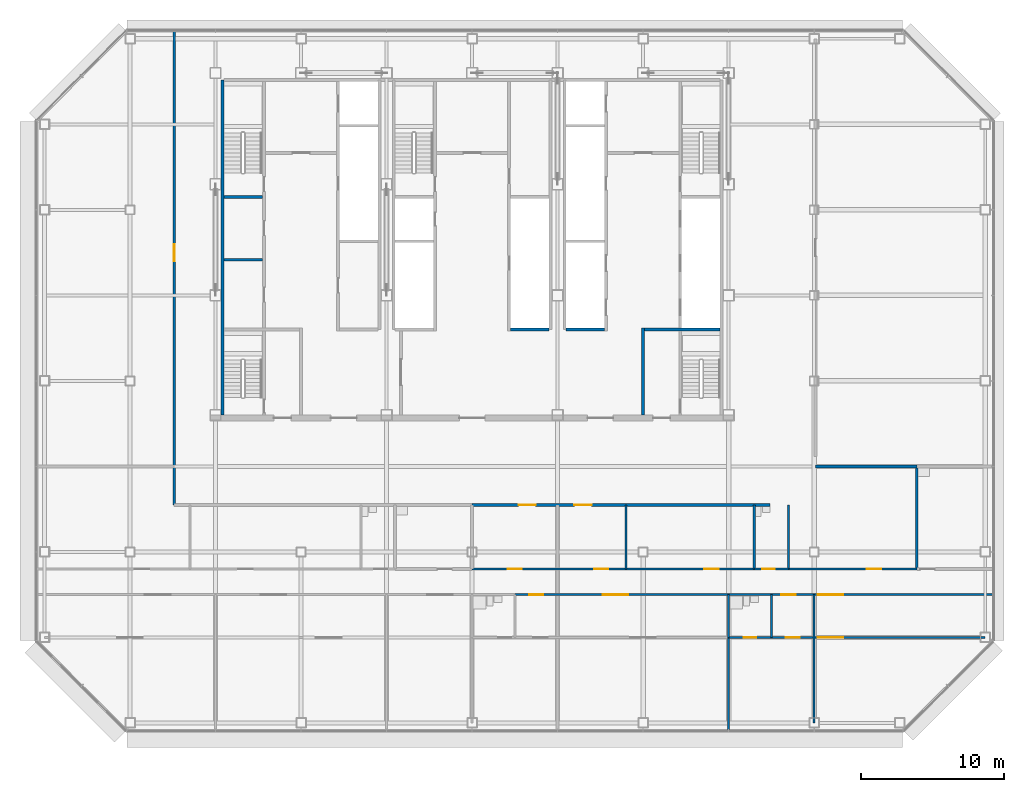
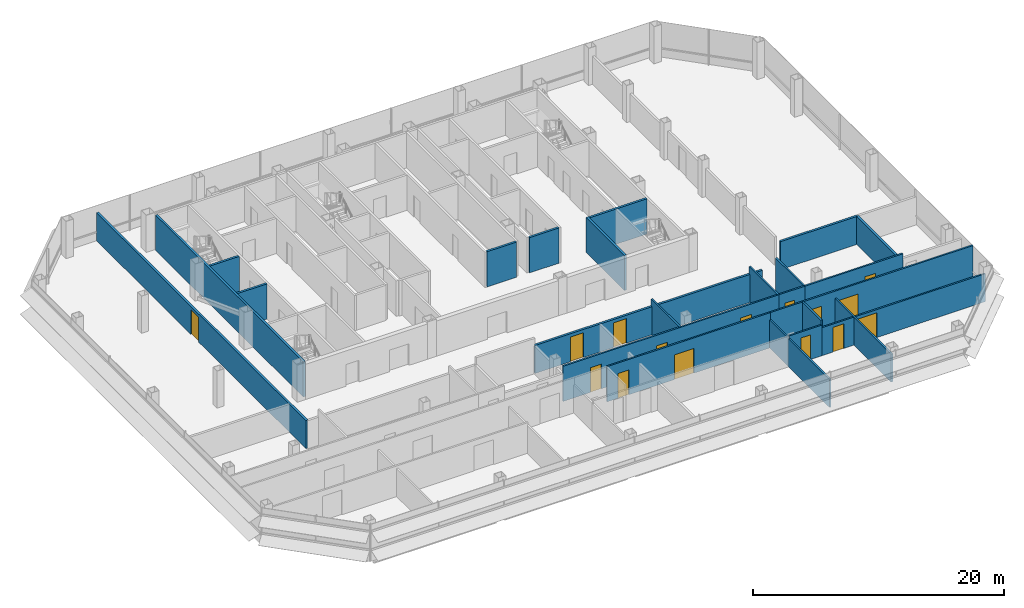
# One storey, part 20 of 24: 26 walls, 15 doors, 15 openings.
"""IFC4 building model written with IfcOpenShell, lengths in metres."""

import ifcopenshell
import ifcopenshell.guid

model = None  # the IFC model being written
_history = None  # IfcOwnerHistory: only IFC2X3 demands one
_inside = {}  # id of a spatial element -> (the spatial element, [elements in it])
_under = {}  # id of a project, library or spatial element -> (it, [spatial elements below it])
_declared = {}  # id of a project -> (the project, [libraries it declares])
_typed = {}  # id of a type object -> (the type object, [elements of that type])
_made_of = {}  # id of a material, layer set ... -> (it, [elements and type objects made of it])


def new_model(schema):
    """Start an empty IFC model of exactly this schema.

    Asked for "IFC4X3", IfcOpenShell would pick the latest addendum, in which some entities
    have other attributes; the version numbers below select the first issue.
    IFC2X3 requires an IfcOwnerHistory on every rooted entity: one is made here for all.
    """
    global model, _history
    if schema == "IFC4X3":
        model = ifcopenshell.file(schema_version=(4, 3, 0, 0))
    else:
        model = ifcopenshell.file(schema=schema)
    _inside.clear()
    _under.clear()
    _declared.clear()
    _typed.clear()
    _made_of.clear()
    _history = None
    if model.schema == "IFC2X3":
        org = make("IfcOrganization", Name="unknown")
        user = make(
            "IfcPersonAndOrganization",
            ThePerson=make("IfcPerson", FamilyName="unknown"),
            TheOrganization=org,
        )
        app = make(
            "IfcApplication",
            ApplicationDeveloper=org,
            Version="unknown",
            ApplicationFullName="unknown",
            ApplicationIdentifier="unknown",
        )
        _history = make(
            "IfcOwnerHistory",
            OwningUser=user,
            OwningApplication=app,
            ChangeAction="ADDED",
            CreationDate=0,
        )
    return model


def make(cls, **values):
    """One entity of the class cls with the attributes given. An attribute that is None is left unset."""
    return model.create_entity(
        cls, **{name: value for name, value in values.items() if value is not None}
    )


def rooted(cls, **values):
    """An entity with a GlobalId (a new one), such as an element, a storey or a relation."""
    return make(cls, GlobalId=ifcopenshell.guid.new(), OwnerHistory=_history, **values)


def si_unit(unit_type, name, prefix=None):
    """IfcSIUnit, for example si_unit("LENGTHUNIT", "METRE", prefix="MILLI")."""
    return make("IfcSIUnit", UnitType=unit_type, Prefix=prefix, Name=name)


def assignment(units):
    """IfcUnitAssignment: the units of a project."""
    return None if units is None else make("IfcUnitAssignment", Units=units)


def point(xyz):
    """IfcCartesianPoint."""
    return None if xyz is None else make("IfcCartesianPoint", Coordinates=xyz)


def direction(xyz):
    """IfcDirection."""
    return None if xyz is None else make("IfcDirection", DirectionRatios=xyz)


def frame(location, z_axis=None, x_axis=None):
    """IfcAxis2Placement3D, a coordinate frame: its origin and axes. An axis left out is left unset."""
    return make(
        "IfcAxis2Placement3D",
        Location=point(location),
        Axis=direction(z_axis),
        RefDirection=direction(x_axis),
    )


def frame_2d(location, x_axis=None):
    """IfcAxis2Placement2D, a coordinate frame in the plane: its origin and x axis."""
    return make(
        "IfcAxis2Placement2D", Location=point(location), RefDirection=direction(x_axis)
    )


def origin():
    """The frame at (0, 0, 0) with its axes left unset."""
    return frame((0.0, 0.0, 0.0))


def place(relative_to, where):
    """IfcLocalPlacement: puts the frame where relative to a parent placement (None: the world)."""
    return make(
        "IfcLocalPlacement", PlacementRelTo=relative_to, RelativePlacement=where
    )


def context(
    kind, dimensions, precision=None, world=None, true_north=None, identifier=None
):
    """IfcGeometricRepresentationContext, for example the 3D "Model" context."""
    return make(
        "IfcGeometricRepresentationContext",
        ContextIdentifier=identifier,
        ContextType=kind,
        CoordinateSpaceDimension=dimensions,
        Precision=precision,
        WorldCoordinateSystem=world,
        TrueNorth=true_north,
    )


def subcontext(parent, identifier, kind, view, scale=None):
    """IfcGeometricRepresentationSubContext, for example "Body" below "Model"."""
    return make(
        "IfcGeometricRepresentationSubContext",
        ContextIdentifier=identifier,
        ContextType=kind,
        ParentContext=parent,
        TargetScale=scale,
        TargetView=view,
    )


def project(units=None, contexts=None):
    """IfcProject with its units and contexts."""
    return rooted(
        "IfcProject",
        Name="project",
        RepresentationContexts=contexts,
        UnitsInContext=assignment(units),
    )


def spatial(cls, under=None, at=None, **own):
    """A site, building, storey or space (cls), placed at a placement, below another one or the project."""
    s = rooted(cls, ObjectPlacement=at, **own)
    if under is not None:
        _under.setdefault(under.id(), (under, []))[1].append(s)
    return s


def profile(cls, at=None, kind="AREA", **sizes):
    """A parametric profile (cls). Its sizes go by their IFC names, for example OverallWidth=200.0."""
    return make(cls, ProfileType=kind, Position=at, **sizes)


def rectangle(**sizes):
    """IfcRectangleProfileDef."""
    return profile("IfcRectangleProfileDef", **sizes)


def extrude(swept, where, along, depth):
    """IfcExtrudedAreaSolid: the profile swept, set in the frame where, extruded along a direction by depth."""
    return make(
        "IfcExtrudedAreaSolid",
        SweptArea=swept,
        Position=where,
        ExtrudedDirection=direction(along),
        Depth=depth,
    )


def shape(context_of_items, identifier, shape_type, items):
    """IfcShapeRepresentation: the items that make up one representation, for example the "Body"."""
    return make(
        "IfcShapeRepresentation",
        ContextOfItems=context_of_items,
        RepresentationIdentifier=identifier,
        RepresentationType=shape_type,
        Items=items,
    )


def material(Name=None, Category=None):
    """IfcMaterial."""
    return make("IfcMaterial", Name=Name, Category=Category)


def layer(
    of_material, thickness, ventilated=None, Name=None, Category=None, Priority=None
):
    """IfcMaterialLayer: one layer of a wall or slab, of a material (None: an air gap)."""
    return make(
        "IfcMaterialLayer",
        Material=of_material,
        LayerThickness=thickness,
        IsVentilated=ventilated,
        Name=Name,
        Category=Category,
        Priority=Priority,
    )


def layer_set(layers, Name=None):
    """IfcMaterialLayerSet."""
    return make("IfcMaterialLayerSet", MaterialLayers=layers, LayerSetName=Name)


def made_of(thing, what):
    """Note that an element or type object is made of a material, layer set ...; save() writes the relation."""
    if what is not None:
        _made_of.setdefault(what.id(), (what, []))[1].append(thing)
    return thing


def type_object(cls, material=None, **own):
    """A type object (cls), such as IfcWallType, which elements share."""
    return made_of(rooted(cls, **own), material)


def element(
    cls,
    number,
    at=None,
    inside=None,
    cuts=None,
    type_object=None,
    material=None,
    context=None,
    identifier="Body",
    shape_type=None,
    held_by="IfcProductDefinitionShape",
    body=None,
    shapes=None,
    **own,
):
    """One element of the class cls, such as IfcWall. Its Tag is "e" and its number.

    at: its placement. inside: the storey or other place that contains it. cuts: it is an
    opening in that element (IfcRelVoidsElement). A single representation is given by context,
    identifier, shape_type and body (its items); several are given by shapes. held_by: the class
    of the entity that holds the representations. save() writes the other relations.
    """
    e = rooted(cls, Tag="e%d" % number, ObjectPlacement=at, **own)
    if body is not None:
        shapes = [shape(context, identifier, shape_type, body)]
    if shapes is not None:
        e.Representation = make(held_by, Representations=shapes)
    if inside is not None:
        _inside.setdefault(inside.id(), (inside, []))[1].append(e)
    if cuts is not None:
        rooted(
            "IfcRelVoidsElement", RelatingBuildingElement=cuts, RelatedOpeningElement=e
        )
    if type_object is not None:
        _typed.setdefault(type_object.id(), (type_object, []))[1].append(e)
    return made_of(e, material)


def fill(opening, filler):
    """IfcRelFillsElement: the door or window that sits in an opening."""
    return rooted(
        "IfcRelFillsElement",
        RelatingOpeningElement=opening,
        RelatedBuildingElement=filler,
    )


def aggregate(whole, parts):
    """IfcRelAggregates: a whole, such as a stair, and the parts it consists of."""
    return rooted("IfcRelAggregates", RelatingObject=whole, RelatedObjects=parts)


def save(model, path):
    """Write the relations noted so far, then the file.

    IfcRelAggregates (storeys below a building ...), IfcRelContainedInSpatialStructure (elements
    in a storey), IfcRelDefinesByType, IfcRelAssociatesMaterial and IfcRelDeclares: one each for
    every whole, place, type object, material and project.
    """
    for whole, parts in _under.values():
        aggregate(whole, parts)
    for where, things in _inside.values():
        rooted(
            "IfcRelContainedInSpatialStructure",
            RelatedElements=things,
            RelatingStructure=where,
        )
    for kind, things in _typed.values():
        rooted("IfcRelDefinesByType", RelatedObjects=things, RelatingType=kind)
    for what, things in _made_of.values():
        rooted("IfcRelAssociatesMaterial", RelatedObjects=things, RelatingMaterial=what)
    for by, libraries in _declared.values():
        rooted("IfcRelDeclares", RelatingContext=by, RelatedDefinitions=libraries)
    model.write(path)


model = new_model("IFC4")

# Units and contexts
model_context = context("Model", 3, precision=1e-05, world=origin(), true_north=direction((0.0, 1.0)))
body_context = subcontext(model_context, "Body", "Model", "MODEL_VIEW")
ifc_project = project(units=[si_unit("LENGTHUNIT", "METRE"), si_unit("AREAUNIT", "SQUARE_METRE"), si_unit("VOLUMEUNIT", "CUBIC_METRE"), si_unit("PLANEANGLEUNIT", "RADIAN"), si_unit("MASSUNIT", "GRAM", prefix="KILO")], contexts=[model_context])

# Site, building, storey
site_placement = place(None, origin())
site = spatial("IfcSite", under=ifc_project, at=site_placement, CompositionType="ELEMENT")
building_placement = place(site_placement, origin())
building = spatial("IfcBuilding", under=site, at=building_placement, Name="Sorahane Residences", CompositionType="ELEMENT")
storey_placement = place(building_placement, frame((0.0, 0.0, 178.0)))
storey = spatial("IfcBuildingStorey", under=building, at=storey_placement, Name="L41", CompositionType="ELEMENT", Elevation=178.0)

# Wall
ifc_material_1 = material(Name="Concrete C30", Category="concrete")
ifc_layer_1 = layer(ifc_material_1, 0.199951171875)
ifc_layer_set_1 = layer_set([ifc_layer_1], Name="Core face wall 200 EI 180")
wall_type_1 = type_object("IfcWallType", Name="Core face wall 200 EI 180", PredefinedType="SOLIDWALL", material=ifc_layer_set_1)
wall_1_placement = place(storey_placement, frame((6.5, 21.60009765625, 0.0), z_axis=(0.0, 0.0, 1.0), x_axis=(0.0, 1.0, 0.0)))
element("IfcWall", 1, at=wall_1_placement, inside=storey, type_object=wall_type_1, Name="L41 core face wall", PredefinedType="SOLIDWALL", context=body_context, shape_type="SweptSolid", body=[
    extrude(rectangle(XDim=23.5, YDim=0.199951171875, at=frame_2d((11.75, 0.0))), origin(), (0.0, 0.0, 1.0), 3.419921875),
])

# Wall, opening, door
ifc_material_2 = material(Name="Concrete blockwork C20 wall", Category="masonry")
ifc_layer_2 = layer(ifc_material_2, 0.199951171875)
ifc_layer_set_2 = layer_set([ifc_layer_2], Name="Corridor wall 200 EI 120")
wall_type_2 = type_object("IfcWallType", Name="Corridor wall 200 EI 120", PredefinedType="SOLIDWALL", material=ifc_layer_set_2)
wall_2_placement = place(storey_placement, frame((3.10009765625, 15.300048828125, 0.0), z_axis=(0.0, 0.0, 1.0), x_axis=(0.0, 1.0, 0.0)))
wall_2 = element("IfcWall", 2, at=wall_2_placement, inside=storey, type_object=wall_type_2, Name="L41 corridor wall", PredefinedType="SOLIDWALL", context=body_context, shape_type="SweptSolid", body=[
    extrude(rectangle(XDim=33.300048828125, YDim=0.199951171875, at=frame_2d((16.64990234375, 0.0))), origin(), (0.0, 0.0, 1.0), 2.719970703125),
])
opening_1_placement = place(wall_2_placement, frame((17.10009765625, 0.0, 0.0)))
opening_1 = element("IfcOpeningElement", 3, at=opening_1_placement, cuts=wall_2, Name="Opening L41-28", PredefinedType="OPENING", context=body_context, shape_type="SweptSolid", body=[
    extrude(rectangle(XDim=1.199951171875, YDim=2.39990234375, at=frame_2d((0.60009765625, 1.199951171875))), frame((0.0, 0.10986328125, 0.0), z_axis=(0.0, -1.0, 0.0), x_axis=(1.0, 0.0, 0.0)), (0.0, 0.0, 1.0), 0.219970703125),
])
ifc_material_3 = material(Name="Steel", Category="steel")
door_type_1 = type_object("IfcDoorType", Name="Lobby door 1200x2400 FD60", OperationType="NOTDEFINED", PredefinedType="DOOR", material=ifc_material_3)
door_1_placement = place(opening_1_placement, origin())
door_1 = element("IfcDoor", 4, at=door_1_placement, inside=storey, type_object=door_type_1, Name="Lobby door L41-28", OperationType="SINGLE_SWING_LEFT", OverallHeight=2.39990234375, OverallWidth=1.199951171875, PredefinedType="DOOR", context=body_context, shape_type="SweptSolid", body=[
    extrude(rectangle(XDim=1.199951171875, YDim=2.39990234375, at=frame_2d((0.60009765625, 1.199951171875))), frame((0.0, 0.02490234375, 0.0), z_axis=(0.0, -1.0, 0.0), x_axis=(1.0, 0.0, 0.0)), (0.0, 0.0, 1.0), 0.050048828125),
])
fill(opening_1, door_1)

# Wall, openings, doors
wall_3_placement = place(storey_placement, frame((24.0, 15.300048828125, 0.0), z_axis=(0.0, 0.0, 1.0), x_axis=(1.0, 0.0, 0.0)))
wall_3 = element("IfcWall", 5, at=wall_3_placement, inside=storey, type_object=wall_type_2, Name="L41 corridor wall", PredefinedType="SOLIDWALL", context=body_context, shape_type="SweptSolid", body=[
    extrude(rectangle(XDim=20.89990234375, YDim=0.199951171875, at=frame_2d((10.449951171875, 0.0))), origin(), (0.0, 0.0, 1.0), 2.719970703125),
])
opening_2_placement = place(wall_3_placement, frame((3.260009765625, 0.0, 0.0)))
opening_2 = element("IfcOpeningElement", 6, at=opening_2_placement, cuts=wall_3, Name="Opening L41-26", PredefinedType="OPENING", context=body_context, shape_type="SweptSolid", body=[
    extrude(rectangle(XDim=1.199951171875, YDim=2.39990234375, at=frame_2d((0.60009765625, 1.199951171875))), frame((0.0, 0.10986328125, 0.0), z_axis=(0.0, -1.0, 0.0), x_axis=(1.0, 0.0, 0.0)), (0.0, 0.0, 1.0), 0.219970703125),
])
opening_3_placement = place(wall_3_placement, frame((7.179931640625, 0.0, 0.0)))
opening_3 = element("IfcOpeningElement", 7, at=opening_3_placement, cuts=wall_3, Name="Opening L41-27", PredefinedType="OPENING", context=body_context, shape_type="SweptSolid", body=[
    extrude(rectangle(XDim=1.199951171875, YDim=2.39990234375, at=frame_2d((0.60009765625, 1.199951171875))), frame((0.0, 0.10986328125, 0.0), z_axis=(0.0, -1.0, 0.0), x_axis=(1.0, 0.0, 0.0)), (0.0, 0.0, 1.0), 0.219970703125),
])
ifc_material_4 = material(Name="Timber veneered fire door", Category="wood")
door_type_2 = type_object("IfcDoorType", Name="Flat entrance door 1200x2400 FD60", OperationType="NOTDEFINED", PredefinedType="DOOR", material=ifc_material_4)
door_2_placement = place(opening_2_placement, frame((1.199951171875, 0.0, 0.0), z_axis=(0.0, 0.0, 1.0), x_axis=(-1.0, 0.0, 0.0)))
door_2 = element("IfcDoor", 8, at=door_2_placement, inside=storey, type_object=door_type_2, Name="Flat entrance door L41-26", OperationType="SINGLE_SWING_RIGHT", OverallHeight=2.39990234375, OverallWidth=1.199951171875, PredefinedType="DOOR", context=body_context, shape_type="SweptSolid", body=[
    extrude(rectangle(XDim=1.199951171875, YDim=2.39990234375, at=frame_2d((0.60009765625, 1.199951171875))), frame((0.0, 0.02490234375, 0.0), z_axis=(0.0, -1.0, 0.0), x_axis=(1.0, 0.0, 0.0)), (0.0, 0.0, 1.0), 0.050048828125),
])
fill(opening_2, door_2)
door_3_placement = place(opening_3_placement, frame((1.199951171875, 0.0, 0.0), z_axis=(0.0, 0.0, 1.0), x_axis=(-1.0, 0.0, 0.0)))
door_3 = element("IfcDoor", 9, at=door_3_placement, inside=storey, type_object=door_type_2, Name="Flat entrance door L41-27", OperationType="SINGLE_SWING_LEFT", OverallHeight=2.39990234375, OverallWidth=1.199951171875, PredefinedType="DOOR", context=body_context, shape_type="SweptSolid", body=[
    extrude(rectangle(XDim=1.199951171875, YDim=2.39990234375, at=frame_2d((0.60009765625, 1.199951171875))), frame((0.0, 0.02490234375, 0.0), z_axis=(0.0, -1.0, 0.0), x_axis=(1.0, 0.0, 0.0)), (0.0, 0.0, 1.0), 0.050048828125),
])
fill(opening_3, door_3)

# Walls
wall_4_placement = place(storey_placement, frame((48.10009765625, 18.0, 0.0), z_axis=(0.0, 0.0, 1.0), x_axis=(1.0, 0.0, 0.0)))
element("IfcWall", 10, at=wall_4_placement, inside=storey, type_object=wall_type_2, Name="L41 corridor wall", PredefinedType="SOLIDWALL", context=body_context, shape_type="SweptSolid", body=[
    extrude(rectangle(XDim=7.099853515625, YDim=0.199951171875, at=frame_2d((3.5498046875, 0.0))), origin(), (0.0, 0.0, 1.0), 2.719970703125),
])
ifc_material_5 = material(Name="Concrete C30", Category="concrete")
ifc_layer_3 = layer(ifc_material_5, 0.199951171875)
ifc_layer_set_3 = layer_set([ifc_layer_3], Name="Front room wall 200 EI 120")
wall_type_3 = type_object("IfcWallType", Name="Front room wall 200 EI 120", PredefinedType="PARTITIONING", material=ifc_layer_set_3)
wall_5_placement = place(storey_placement, frame((36.0, 21.60009765625, 0.0), z_axis=(0.0, 0.0, 1.0), x_axis=(0.0, 1.0, 0.0)))
element("IfcWall", 11, at=wall_5_placement, inside=storey, type_object=wall_type_3, Name="L41 front room wall", PredefinedType="PARTITIONING", context=body_context, shape_type="SweptSolid", body=[
    extrude(rectangle(XDim=6.099853515625, YDim=0.199951171875, at=frame_2d((3.0498046875, 0.0))), origin(), (0.0, 0.0, 1.0), 3.419921875),
])
ifc_material_6 = material(Name="Concrete blockwork C20 wall", Category="masonry")
ifc_layer_4 = layer(ifc_material_6, 0.199951171875)
ifc_layer_set_4 = layer_set([ifc_layer_4], Name="Kitchen wall 200 EI 180")
wall_type_4 = type_object("IfcWallType", Name="Kitchen wall 200 EI 180", PredefinedType="SOLIDWALL", material=ifc_layer_set_4)
wall_6_placement = place(storey_placement, frame((55.199951171875, 10.800048828125, 0.0), z_axis=(0.0, 0.0, 1.0), x_axis=(0.0, 1.0, 0.0)))
element("IfcWall", 12, at=wall_6_placement, inside=storey, type_object=wall_type_4, Name="L41 kitchen wall", PredefinedType="SOLIDWALL", context=body_context, shape_type="SweptSolid", body=[
    extrude(rectangle(XDim=7.199951171875, YDim=0.199951171875, at=frame_2d((3.60009765625, 0.0))), origin(), (0.0, 0.0, 1.0), 2.719970703125),
])
ifc_material_7 = material(Name="Concrete C30", Category="concrete")
ifc_layer_5 = layer(ifc_material_7, 0.199951171875)
ifc_layer_set_5 = layer_set([ifc_layer_5], Name="Lift shaft wall 200 EI 120")
wall_type_5 = type_object("IfcWallType", Name="Lift shaft wall 200 EI 120", PredefinedType="SOLIDWALL", material=ifc_layer_set_5)
wall_7_placement = place(storey_placement, frame((30.60009765625, 27.60009765625, 0.0), z_axis=(0.0, 0.0, 1.0), x_axis=(1.0, 0.0, 0.0)))
element("IfcWall", 13, at=wall_7_placement, inside=storey, type_object=wall_type_5, Name="L41 lift shaft wall", PredefinedType="SOLIDWALL", context=body_context, shape_type="SweptSolid", body=[
    extrude(rectangle(XDim=2.699951171875, YDim=0.199951171875, at=frame_2d((1.35009765625, 0.0))), origin(), (0.0, 0.0, 1.0), 3.419921875),
])
ifc_material_8 = material(Name="Gypsum board partition on steel studs", Category="steel")
ifc_layer_6 = layer(ifc_material_8, 0.14990234375)
ifc_layer_set_6 = layer_set([ifc_layer_6], Name="Partition 150 EI 90")
wall_type_6 = type_object("IfcWallType", Name="Partition 150 EI 90", PredefinedType="PARTITIONING", material=ifc_layer_set_6)
wall_8_placement = place(storey_placement, frame((34.800048828125, 10.800048828125, 0.0), z_axis=(0.0, 0.0, 1.0), x_axis=(0.0, 1.0, 0.0)))
element("IfcWall", 14, at=wall_8_placement, inside=storey, type_object=wall_type_6, Name="L41 partition", PredefinedType="PARTITIONING", context=body_context, shape_type="SweptSolid", body=[
    extrude(rectangle(XDim=4.5, YDim=0.14990234375, at=frame_2d((2.25, 0.0))), origin(), (0.0, 0.0, 1.0), 3.419921875),
])
wall_9_placement = place(storey_placement, frame((42.0, -0.60009765625, 0.0), z_axis=(0.0, 0.0, 1.0), x_axis=(0.0, 1.0, 0.0)))
element("IfcWall", 15, at=wall_9_placement, inside=storey, type_object=wall_type_6, Name="L41 partition", PredefinedType="PARTITIONING", context=body_context, shape_type="SweptSolid", body=[
    extrude(rectangle(XDim=6.60009765625, YDim=0.14990234375, at=frame_2d((3.300048828125, 0.0))), origin(), (0.0, 0.0, 1.0), 2.719970703125),
])
wall_10_placement = place(storey_placement, frame((48.0, 0.0, 0.0), z_axis=(0.0, 0.0, 1.0), x_axis=(0.0, 1.0, 0.0)))
element("IfcWall", 16, at=wall_10_placement, inside=storey, type_object=wall_type_6, Name="L41 partition", PredefinedType="PARTITIONING", context=body_context, shape_type="SweptSolid", body=[
    extrude(rectangle(XDim=9.0, YDim=0.14990234375, at=frame_2d((4.5, 0.0))), origin(), (0.0, 0.0, 1.0), 2.719970703125),
])

# Wall, openings, doors
wall_11_placement = place(storey_placement, frame((24.0, 10.800048828125, 0.0), z_axis=(0.0, 0.0, 1.0), x_axis=(1.0, 0.0, 0.0)))
wall_11 = element("IfcWall", 17, at=wall_11_placement, inside=storey, type_object=wall_type_6, Name="L41 partition", PredefinedType="PARTITIONING", context=body_context, shape_type="SweptSolid", body=[
    extrude(rectangle(XDim=19.800048828125, YDim=0.14990234375, at=frame_2d((9.89990234375, 0.0))), origin(), (0.0, 0.0, 1.0), 3.419921875),
])
opening_4_placement = place(wall_11_placement, frame((2.5, 0.0, 0.0)))
opening_4 = element("IfcOpeningElement", 18, at=opening_4_placement, cuts=wall_11, Name="Opening L41-01", PredefinedType="OPENING", context=body_context, shape_type="SweptSolid", body=[
    extrude(rectangle(XDim=1.0, YDim=2.39990234375, at=frame_2d((0.5, 1.199951171875))), frame((0.0, 0.0849609375, 0.0), z_axis=(0.0, -1.0, 0.0), x_axis=(1.0, 0.0, 0.0)), (0.0, 0.0, 1.0), 0.169921875),
])
opening_5_placement = place(wall_11_placement, frame((8.56005859375, 0.0, 0.0)))
opening_5 = element("IfcOpeningElement", 19, at=opening_5_placement, cuts=wall_11, Name="Opening L41-14", PredefinedType="OPENING", context=body_context, shape_type="SweptSolid", body=[
    extrude(rectangle(XDim=1.0, YDim=2.39990234375, at=frame_2d((0.5, 1.199951171875))), frame((0.0, 0.0849609375, 0.0), z_axis=(0.0, -1.0, 0.0), x_axis=(1.0, 0.0, 0.0)), (0.0, 0.0, 1.0), 0.169921875),
])
opening_6_placement = place(wall_11_placement, frame((16.300048828125, 0.0, 0.0)))
opening_6 = element("IfcOpeningElement", 20, at=opening_6_placement, cuts=wall_11, Name="Opening L41-15", PredefinedType="OPENING", context=body_context, shape_type="SweptSolid", body=[
    extrude(rectangle(XDim=1.0, YDim=2.39990234375, at=frame_2d((0.5, 1.199951171875))), frame((0.0, 0.0849609375, 0.0), z_axis=(0.0, -1.0, 0.0), x_axis=(1.0, 0.0, 0.0)), (0.0, 0.0, 1.0), 0.169921875),
])
ifc_material_9 = material(Name="Timber veneered fire door", Category="wood")
door_type_3 = type_object("IfcDoorType", Name="Room door 1000x2400 FD30", OperationType="NOTDEFINED", PredefinedType="DOOR", material=ifc_material_9)
door_4_placement = place(opening_4_placement, frame((1.0, 0.0, 0.0), z_axis=(0.0, 0.0, 1.0), x_axis=(-1.0, 0.0, 0.0)))
door_4 = element("IfcDoor", 21, at=door_4_placement, inside=storey, type_object=door_type_3, Name="Room door L41-01", OperationType="SINGLE_SWING_RIGHT", OverallHeight=2.39990234375, OverallWidth=1.0, PredefinedType="DOOR", context=body_context, shape_type="SweptSolid", body=[
    extrude(rectangle(XDim=1.0, YDim=2.39990234375, at=frame_2d((0.5, 1.199951171875))), frame((0.0, 0.02490234375, 0.0), z_axis=(0.0, -1.0, 0.0), x_axis=(1.0, 0.0, 0.0)), (0.0, 0.0, 1.0), 0.050048828125),
])
fill(opening_4, door_4)
door_5_placement = place(opening_5_placement, frame((1.0, 0.0, 0.0), z_axis=(0.0, 0.0, 1.0), x_axis=(-1.0, 0.0, 0.0)))
door_5 = element("IfcDoor", 22, at=door_5_placement, inside=storey, type_object=door_type_3, Name="Room door L41-14", OperationType="SINGLE_SWING_RIGHT", OverallHeight=2.39990234375, OverallWidth=1.0, PredefinedType="DOOR", context=body_context, shape_type="SweptSolid", body=[
    extrude(rectangle(XDim=1.0, YDim=2.39990234375, at=frame_2d((0.5, 1.199951171875))), frame((0.0, 0.02490234375, 0.0), z_axis=(0.0, -1.0, 0.0), x_axis=(1.0, 0.0, 0.0)), (0.0, 0.0, 1.0), 0.050048828125),
])
fill(opening_5, door_5)
door_6_placement = place(opening_6_placement, origin())
door_6 = element("IfcDoor", 23, at=door_6_placement, inside=storey, type_object=door_type_3, Name="Room door L41-15", OperationType="SINGLE_SWING_RIGHT", OverallHeight=2.39990234375, OverallWidth=1.0, PredefinedType="DOOR", context=body_context, shape_type="SweptSolid", body=[
    extrude(rectangle(XDim=1.0, YDim=2.39990234375, at=frame_2d((0.5, 1.199951171875))), frame((0.0, 0.02490234375, 0.0), z_axis=(0.0, -1.0, 0.0), x_axis=(1.0, 0.0, 0.0)), (0.0, 0.0, 1.0), 0.050048828125),
])
fill(opening_6, door_6)

# Wall, opening, door
wall_12_placement = place(storey_placement, frame((46.199951171875, 10.800048828125, 0.0), z_axis=(0.0, 0.0, 1.0), x_axis=(1.0, 0.0, 0.0)))
wall_12 = element("IfcWall", 24, at=wall_12_placement, inside=storey, type_object=wall_type_6, Name="L41 partition", PredefinedType="PARTITIONING", context=body_context, shape_type="SweptSolid", body=[
    extrude(rectangle(XDim=9.0, YDim=0.14990234375, at=frame_2d((4.5, 0.0))), origin(), (0.0, 0.0, 1.0), 3.419921875),
])
opening_7_placement = place(wall_12_placement, frame((5.5, 0.0, 0.0)))
opening_7 = element("IfcOpeningElement", 25, at=opening_7_placement, cuts=wall_12, Name="Opening L41-17", PredefinedType="OPENING", context=body_context, shape_type="SweptSolid", body=[
    extrude(rectangle(XDim=1.0, YDim=2.39990234375, at=frame_2d((0.5, 1.199951171875))), frame((0.0, 0.0849609375, 0.0), z_axis=(0.0, -1.0, 0.0), x_axis=(1.0, 0.0, 0.0)), (0.0, 0.0, 1.0), 0.169921875),
])
door_7_placement = place(opening_7_placement, origin())
door_7 = element("IfcDoor", 26, at=door_7_placement, inside=storey, type_object=door_type_3, Name="Room door L41-17", OperationType="SINGLE_SWING_RIGHT", OverallHeight=2.39990234375, OverallWidth=1.0, PredefinedType="DOOR", context=body_context, shape_type="SweptSolid", body=[
    extrude(rectangle(XDim=1.0, YDim=2.39990234375, at=frame_2d((0.5, 1.199951171875))), frame((0.0, 0.02490234375, 0.0), z_axis=(0.0, -1.0, 0.0), x_axis=(1.0, 0.0, 0.0)), (0.0, 0.0, 1.0), 0.050048828125),
])
fill(opening_7, door_7)

# Wall, openings, doors
wall_13_placement = place(storey_placement, frame((45.0, 6.0, 0.0), z_axis=(0.0, 0.0, 1.0), x_axis=(1.0, 0.0, 0.0)))
wall_13 = element("IfcWall", 27, at=wall_13_placement, inside=storey, type_object=wall_type_6, Name="L41 partition", PredefinedType="PARTITIONING", context=body_context, shape_type="SweptSolid", body=[
    extrude(rectangle(XDim=15.0, YDim=0.14990234375, at=frame_2d((7.5, 0.0))), origin(), (0.0, 0.0, 1.0), 2.719970703125),
])
opening_8_placement = place(wall_13_placement, frame((1.0, 0.0, 0.0)))
opening_8 = element("IfcOpeningElement", 28, at=opening_8_placement, cuts=wall_13, Name="Opening L41-23", PredefinedType="OPENING", context=body_context, shape_type="SweptSolid", body=[
    extrude(rectangle(XDim=1.0, YDim=2.39990234375, at=frame_2d((0.5, 1.199951171875))), frame((0.0, 0.0849609375, 0.0), z_axis=(0.0, -1.0, 0.0), x_axis=(1.0, 0.0, 0.0)), (0.0, 0.0, 1.0), 0.169921875),
])
opening_9_placement = place(wall_13_placement, frame((3.25, 0.0, 0.0)))
opening_9 = element("IfcOpeningElement", 29, at=opening_9_placement, cuts=wall_13, Name="Opening L41-25", PredefinedType="OPENING", context=body_context, shape_type="SweptSolid", body=[
    extrude(rectangle(XDim=1.800048828125, YDim=2.39990234375, at=frame_2d((0.89990234375, 1.199951171875))), frame((0.0, 0.0849609375, 0.0), z_axis=(0.0, -1.0, 0.0), x_axis=(1.0, 0.0, 0.0)), (0.0, 0.0, 1.0), 0.169921875),
])
ifc_material_10 = material(Name="Timber veneered fire door", Category="wood")
door_type_4 = type_object("IfcDoorType", Name="Double door 1800x2400 FD30", OperationType="NOTDEFINED", PredefinedType="DOOR", material=ifc_material_10)
door_8_placement = place(opening_9_placement, frame((1.800048828125, 0.0, 0.0), z_axis=(0.0, 0.0, 1.0), x_axis=(-1.0, 0.0, 0.0)))
door_8 = element("IfcDoor", 30, at=door_8_placement, inside=storey, type_object=door_type_4, Name="Double door L41-25", OperationType="SINGLE_SWING_RIGHT", OverallHeight=2.39990234375, OverallWidth=1.800048828125, PredefinedType="DOOR", context=body_context, shape_type="SweptSolid", body=[
    extrude(rectangle(XDim=1.800048828125, YDim=2.39990234375, at=frame_2d((0.89990234375, 1.199951171875))), frame((0.0, 0.02490234375, 0.0), z_axis=(0.0, -1.0, 0.0), x_axis=(1.0, 0.0, 0.0)), (0.0, 0.0, 1.0), 0.050048828125),
])
fill(opening_9, door_8)
door_9_placement = place(opening_8_placement, frame((1.0, 0.0, 0.0), z_axis=(0.0, 0.0, 1.0), x_axis=(-1.0, 0.0, 0.0)))
door_9 = element("IfcDoor", 31, at=door_9_placement, inside=storey, type_object=door_type_3, Name="Room door L41-23", OperationType="SINGLE_SWING_LEFT", OverallHeight=2.39990234375, OverallWidth=1.0, PredefinedType="DOOR", context=body_context, shape_type="SweptSolid", body=[
    extrude(rectangle(XDim=1.0, YDim=2.39990234375, at=frame_2d((0.5, 1.199951171875))), frame((0.0, 0.02490234375, 0.0), z_axis=(0.0, -1.0, 0.0), x_axis=(1.0, 0.0, 0.0)), (0.0, 0.0, 1.0), 0.050048828125),
])
fill(opening_8, door_9)

wall_14_placement = place(storey_placement, frame((27.0, 9.0, 0.0), z_axis=(0.0, 0.0, 1.0), x_axis=(1.0, 0.0, 0.0)))
wall_14 = element("IfcWall", 32, at=wall_14_placement, inside=storey, type_object=wall_type_6, Name="L41 partition", PredefinedType="PARTITIONING", context=body_context, shape_type="SweptSolid", body=[
    extrude(rectangle(XDim=15.0, YDim=0.14990234375, at=frame_2d((7.5, 0.0))), origin(), (0.0, 0.0, 1.0), 3.419921875),
])
opening_10_placement = place(wall_14_placement, frame((1.0, 0.0, 0.0)))
opening_10 = element("IfcOpeningElement", 33, at=opening_10_placement, cuts=wall_14, Name="Opening L41-09", PredefinedType="OPENING", context=body_context, shape_type="SweptSolid", body=[
    extrude(rectangle(XDim=1.0, YDim=2.39990234375, at=frame_2d((0.5, 1.199951171875))), frame((0.0, 0.0849609375, 0.0), z_axis=(0.0, -1.0, 0.0), x_axis=(1.0, 0.0, 0.0)), (0.0, 0.0, 1.0), 0.169921875),
])
opening_11_placement = place(wall_14_placement, frame((6.159912109375, 0.0, 0.0)))
opening_11 = element("IfcOpeningElement", 34, at=opening_11_placement, cuts=wall_14, Name="Opening L41-19", PredefinedType="OPENING", context=body_context, shape_type="SweptSolid", body=[
    extrude(rectangle(XDim=1.800048828125, YDim=2.39990234375, at=frame_2d((0.89990234375, 1.199951171875))), frame((0.0, 0.0849609375, 0.0), z_axis=(0.0, -1.0, 0.0), x_axis=(1.0, 0.0, 0.0)), (0.0, 0.0, 1.0), 0.169921875),
])
door_10_placement = place(opening_11_placement, frame((1.800048828125, 0.0, 0.0), z_axis=(0.0, 0.0, 1.0), x_axis=(-1.0, 0.0, 0.0)))
door_10 = element("IfcDoor", 35, at=door_10_placement, inside=storey, type_object=door_type_4, Name="Double door L41-19", OperationType="SINGLE_SWING_RIGHT", OverallHeight=2.39990234375, OverallWidth=1.800048828125, PredefinedType="DOOR", context=body_context, shape_type="SweptSolid", body=[
    extrude(rectangle(XDim=1.800048828125, YDim=2.39990234375, at=frame_2d((0.89990234375, 1.199951171875))), frame((0.0, 0.02490234375, 0.0), z_axis=(0.0, -1.0, 0.0), x_axis=(1.0, 0.0, 0.0)), (0.0, 0.0, 1.0), 0.050048828125),
])
fill(opening_11, door_10)
door_11_placement = place(opening_10_placement, frame((1.0, 0.0, 0.0), z_axis=(0.0, 0.0, 1.0), x_axis=(-1.0, 0.0, 0.0)))
door_11 = element("IfcDoor", 36, at=door_11_placement, inside=storey, type_object=door_type_3, Name="Room door L41-09", OperationType="SINGLE_SWING_LEFT", OverallHeight=2.39990234375, OverallWidth=1.0, PredefinedType="DOOR", context=body_context, shape_type="SweptSolid", body=[
    extrude(rectangle(XDim=1.0, YDim=2.39990234375, at=frame_2d((0.5, 1.199951171875))), frame((0.0, 0.02490234375, 0.0), z_axis=(0.0, -1.0, 0.0), x_axis=(1.0, 0.0, 0.0)), (0.0, 0.0, 1.0), 0.050048828125),
])
fill(opening_10, door_11)

wall_15_placement = place(storey_placement, frame((45.0, 9.0, 0.0), z_axis=(0.0, 0.0, 1.0), x_axis=(1.0, 0.0, 0.0)))
wall_15 = element("IfcWall", 37, at=wall_15_placement, inside=storey, type_object=wall_type_6, Name="L41 partition", PredefinedType="PARTITIONING", context=body_context, shape_type="SweptSolid", body=[
    extrude(rectangle(XDim=15.60009765625, YDim=0.14990234375, at=frame_2d((7.800048828125, 0.0))), origin(), (0.0, 0.0, 1.0), 3.419921875),
])
opening_12_placement = place(wall_15_placement, frame((0.699951171875, 0.0, 0.0)))
opening_12 = element("IfcOpeningElement", 38, at=opening_12_placement, cuts=wall_15, Name="Opening L41-20", PredefinedType="OPENING", context=body_context, shape_type="SweptSolid", body=[
    extrude(rectangle(XDim=1.0, YDim=2.39990234375, at=frame_2d((0.5, 1.199951171875))), frame((0.0, 0.0849609375, 0.0), z_axis=(0.0, -1.0, 0.0), x_axis=(1.0, 0.0, 0.0)), (0.0, 0.0, 1.0), 0.169921875),
])
opening_13_placement = place(wall_15_placement, frame((3.25, 0.0, 0.0)))
opening_13 = element("IfcOpeningElement", 39, at=opening_13_placement, cuts=wall_15, Name="Opening L41-21", PredefinedType="OPENING", context=body_context, shape_type="SweptSolid", body=[
    extrude(rectangle(XDim=1.800048828125, YDim=2.39990234375, at=frame_2d((0.89990234375, 1.199951171875))), frame((0.0, 0.0849609375, 0.0), z_axis=(0.0, -1.0, 0.0), x_axis=(1.0, 0.0, 0.0)), (0.0, 0.0, 1.0), 0.169921875),
])
door_12_placement = place(opening_13_placement, frame((1.800048828125, 0.0, 0.0), z_axis=(0.0, 0.0, 1.0), x_axis=(-1.0, 0.0, 0.0)))
door_12 = element("IfcDoor", 40, at=door_12_placement, inside=storey, type_object=door_type_4, Name="Double door L41-21", OperationType="SINGLE_SWING_LEFT", OverallHeight=2.39990234375, OverallWidth=1.800048828125, PredefinedType="DOOR", context=body_context, shape_type="SweptSolid", body=[
    extrude(rectangle(XDim=1.800048828125, YDim=2.39990234375, at=frame_2d((0.89990234375, 1.199951171875))), frame((0.0, 0.02490234375, 0.0), z_axis=(0.0, -1.0, 0.0), x_axis=(1.0, 0.0, 0.0)), (0.0, 0.0, 1.0), 0.050048828125),
])
fill(opening_13, door_12)
door_13_placement = place(opening_12_placement, frame((1.0, 0.0, 0.0), z_axis=(0.0, 0.0, 1.0), x_axis=(-1.0, 0.0, 0.0)))
door_13 = element("IfcDoor", 41, at=door_13_placement, inside=storey, type_object=door_type_3, Name="Room door L41-20", OperationType="SINGLE_SWING_RIGHT", OverallHeight=2.39990234375, OverallWidth=1.0, PredefinedType="DOOR", context=body_context, shape_type="SweptSolid", body=[
    extrude(rectangle(XDim=1.0, YDim=2.39990234375, at=frame_2d((0.5, 1.199951171875))), frame((0.0, 0.02490234375, 0.0), z_axis=(0.0, -1.0, 0.0), x_axis=(1.0, 0.0, 0.0)), (0.0, 0.0, 1.0), 0.050048828125),
])
fill(opening_12, door_13)

# Walls
ifc_material_11 = material(Name="Concrete C30", Category="concrete")
ifc_layer_7 = layer(ifc_material_11, 0.199951171875)
ifc_layer_set_7 = layer_set([ifc_layer_7], Name="Riser shaft wall 200 EI 120")
wall_type_7 = type_object("IfcWallType", Name="Riser shaft wall 200 EI 120", PredefinedType="SOLIDWALL", material=ifc_layer_set_7)
wall_16_placement = place(storey_placement, frame((26.699951171875, 27.60009765625, 0.0), z_axis=(0.0, 0.0, 1.0), x_axis=(1.0, 0.0, 0.0)))
element("IfcWall", 42, at=wall_16_placement, inside=storey, type_object=wall_type_7, Name="L41 riser wall", PredefinedType="SOLIDWALL", context=body_context, shape_type="SweptSolid", body=[
    extrude(rectangle(XDim=2.699951171875, YDim=0.199951171875, at=frame_2d((1.35009765625, 0.0))), origin(), (0.0, 0.0, 1.0), 3.419921875),
])
ifc_material_12 = material(Name="Concrete C30", Category="concrete")
ifc_layer_8 = layer(ifc_material_12, 0.199951171875)
ifc_layer_set_8 = layer_set([ifc_layer_8], Name="Service room partition 200 EI 60")
wall_type_8 = type_object("IfcWallType", Name="Service room partition 200 EI 60", PredefinedType="PARTITIONING", material=ifc_layer_set_8)
wall_17_placement = place(storey_placement, frame((6.60009765625, 32.5, 0.0), z_axis=(0.0, 0.0, 1.0), x_axis=(1.0, 0.0, 0.0)))
element("IfcWall", 43, at=wall_17_placement, inside=storey, type_object=wall_type_8, Name="L41 service room wall", PredefinedType="PARTITIONING", context=body_context, shape_type="SweptSolid", body=[
    extrude(rectangle(XDim=2.699951171875, YDim=0.199951171875, at=frame_2d((1.35009765625, 0.0))), origin(), (0.0, 0.0, 1.0), 3.419921875),
])
ifc_material_13 = material(Name="Concrete C30", Category="concrete")
ifc_layer_9 = layer(ifc_material_13, 0.199951171875)
ifc_layer_set_9 = layer_set([ifc_layer_9], Name="Stair enclosure wall 200 EI 120")
wall_type_9 = type_object("IfcWallType", Name="Stair enclosure wall 200 EI 120", PredefinedType="SOLIDWALL", material=ifc_layer_set_9)
wall_18_placement = place(storey_placement, frame((36.10009765625, 27.60009765625, 0.0), z_axis=(0.0, 0.0, 1.0), x_axis=(1.0, 0.0, 0.0)))
element("IfcWall", 44, at=wall_18_placement, inside=storey, type_object=wall_type_9, Name="L41 stair enclosure wall", PredefinedType="SOLIDWALL", context=body_context, shape_type="SweptSolid", body=[
    extrude(rectangle(XDim=5.2998046875, YDim=0.199951171875, at=frame_2d((2.64990234375, 0.0))), origin(), (0.0, 0.0, 1.0), 3.419921875),
])
wall_19_placement = place(storey_placement, frame((6.60009765625, 36.89990234375, 0.0), z_axis=(0.0, 0.0, 1.0), x_axis=(1.0, 0.0, 0.0)))
element("IfcWall", 45, at=wall_19_placement, inside=storey, type_object=wall_type_9, Name="L41 stair enclosure wall", PredefinedType="SOLIDWALL", context=body_context, shape_type="SweptSolid", body=[
    extrude(rectangle(XDim=2.699951171875, YDim=0.199951171875, at=frame_2d((1.35009765625, 0.0))), origin(), (0.0, 0.0, 1.0), 3.419921875),
])
ifc_material_14 = material(Name="Gypsum board partition on steel studs", Category="steel")
ifc_layer_10 = layer(ifc_material_14, 0.14990234375)
ifc_layer_set_10 = layer_set([ifc_layer_10], Name="Wet wall 150 EI 90")
wall_type_10 = type_object("IfcWallType", Name="Wet wall 150 EI 90", PredefinedType="PARTITIONING", material=ifc_layer_set_10)
wall_20_placement = place(storey_placement, frame((42.0, 6.0, 0.0), z_axis=(0.0, 0.0, 1.0), x_axis=(0.0, 1.0, 0.0)))
element("IfcWall", 46, at=wall_20_placement, inside=storey, type_object=wall_type_10, Name="L41 wet wall", PredefinedType="PARTITIONING", context=body_context, shape_type="SweptSolid", body=[
    extrude(rectangle(XDim=3.0, YDim=0.14990234375, at=frame_2d((1.5, 0.0))), origin(), (0.0, 0.0, 1.0), 2.719970703125),
])
wall_21_placement = place(storey_placement, frame((43.800048828125, 10.800048828125, 0.0), z_axis=(0.0, 0.0, 1.0), x_axis=(0.0, 1.0, 0.0)))
element("IfcWall", 47, at=wall_21_placement, inside=storey, type_object=wall_type_10, Name="L41 wet wall", PredefinedType="PARTITIONING", context=body_context, shape_type="SweptSolid", body=[
    extrude(rectangle(XDim=4.5, YDim=0.14990234375, at=frame_2d((2.25, 0.0))), origin(), (0.0, 0.0, 1.0), 3.419921875),
])
wall_22_placement = place(storey_placement, frame((45.0, 6.0, 0.0), z_axis=(0.0, 0.0, 1.0), x_axis=(0.0, 1.0, 0.0)))
element("IfcWall", 48, at=wall_22_placement, inside=storey, type_object=wall_type_10, Name="L41 wet wall", PredefinedType="PARTITIONING", context=body_context, shape_type="SweptSolid", body=[
    extrude(rectangle(XDim=3.0, YDim=0.14990234375, at=frame_2d((1.5, 0.0))), origin(), (0.0, 0.0, 1.0), 3.419921875),
])
wall_23_placement = place(storey_placement, frame((46.199951171875, 10.800048828125, 0.0), z_axis=(0.0, 0.0, 1.0), x_axis=(0.0, 1.0, 0.0)))
element("IfcWall", 49, at=wall_23_placement, inside=storey, type_object=wall_type_10, Name="L41 wet wall", PredefinedType="PARTITIONING", context=body_context, shape_type="SweptSolid", body=[
    extrude(rectangle(XDim=4.5, YDim=0.14990234375, at=frame_2d((2.25, 0.0))), origin(), (0.0, 0.0, 1.0), 3.419921875),
])

# Wall, opening, door
wall_24_placement = place(storey_placement, frame((43.800048828125, 10.800048828125, 0.0), z_axis=(0.0, 0.0, 1.0), x_axis=(1.0, 0.0, 0.0)))
wall_24 = element("IfcWall", 50, at=wall_24_placement, inside=storey, type_object=wall_type_10, Name="L41 wet wall", PredefinedType="PARTITIONING", context=body_context, shape_type="SweptSolid", body=[
    extrude(rectangle(XDim=2.39990234375, YDim=0.14990234375, at=frame_2d((1.199951171875, 0.0))), origin(), (0.0, 0.0, 1.0), 3.419921875),
])
opening_14_placement = place(wall_24_placement, frame((0.550048828125, 0.0, 0.0)))
opening_14 = element("IfcOpeningElement", 51, at=opening_14_placement, cuts=wall_24, Name="Opening L41-16", PredefinedType="OPENING", context=body_context, shape_type="SweptSolid", body=[
    extrude(rectangle(XDim=0.89990234375, YDim=2.39990234375, at=frame_2d((0.449951171875, 1.199951171875))), frame((0.0, 0.0849609375, 0.0), z_axis=(0.0, -1.0, 0.0), x_axis=(1.0, 0.0, 0.0)), (0.0, 0.0, 1.0), 0.169921875),
])
ifc_material_15 = material(Name="Timber veneered fire door", Category="wood")
door_type_5 = type_object("IfcDoorType", Name="Bathroom door 900x2400 FD30", OperationType="NOTDEFINED", PredefinedType="DOOR", material=ifc_material_15)
door_14_placement = place(opening_14_placement, frame((0.89990234375, 0.0, 0.0), z_axis=(0.0, 0.0, 1.0), x_axis=(-1.0, 0.0, 0.0)))
door_14 = element("IfcDoor", 52, at=door_14_placement, inside=storey, type_object=door_type_5, Name="Bathroom door L41-16", OperationType="SINGLE_SWING_LEFT", OverallHeight=2.39990234375, OverallWidth=0.89990234375, PredefinedType="DOOR", context=body_context, shape_type="SweptSolid", body=[
    extrude(rectangle(XDim=0.89990234375, YDim=2.39990234375, at=frame_2d((0.449951171875, 1.199951171875))), frame((0.0, 0.02490234375, 0.0), z_axis=(0.0, -1.0, 0.0), x_axis=(1.0, 0.0, 0.0)), (0.0, 0.0, 1.0), 0.050048828125),
])
fill(opening_14, door_14)

wall_25_placement = place(storey_placement, frame((42.0, 6.0, 0.0), z_axis=(0.0, 0.0, 1.0), x_axis=(1.0, 0.0, 0.0)))
wall_25 = element("IfcWall", 53, at=wall_25_placement, inside=storey, type_object=wall_type_10, Name="L41 wet wall", PredefinedType="PARTITIONING", context=body_context, shape_type="SweptSolid", body=[
    extrude(rectangle(XDim=3.0, YDim=0.14990234375, at=frame_2d((1.5, 0.0))), origin(), (0.0, 0.0, 1.0), 2.969970703125),
])
opening_15_placement = place(wall_25_placement, frame((1.050048828125, 0.0, 0.0)))
opening_15 = element("IfcOpeningElement", 54, at=opening_15_placement, cuts=wall_25, Name="Opening L41-24", PredefinedType="OPENING", context=body_context, shape_type="SweptSolid", body=[
    extrude(rectangle(XDim=0.89990234375, YDim=2.39990234375, at=frame_2d((0.449951171875, 1.199951171875))), frame((0.0, 0.0849609375, 0.0), z_axis=(0.0, -1.0, 0.0), x_axis=(1.0, 0.0, 0.0)), (0.0, 0.0, 1.0), 0.169921875),
])
door_15_placement = place(opening_15_placement, frame((0.89990234375, 0.0, 0.0), z_axis=(0.0, 0.0, 1.0), x_axis=(-1.0, 0.0, 0.0)))
door_15 = element("IfcDoor", 55, at=door_15_placement, inside=storey, type_object=door_type_5, Name="Bathroom door L41-24", OperationType="SINGLE_SWING_LEFT", OverallHeight=2.39990234375, OverallWidth=0.89990234375, PredefinedType="DOOR", context=body_context, shape_type="SweptSolid", body=[
    extrude(rectangle(XDim=0.89990234375, YDim=2.39990234375, at=frame_2d((0.449951171875, 1.199951171875))), frame((0.0, 0.02490234375, 0.0), z_axis=(0.0, -1.0, 0.0), x_axis=(1.0, 0.0, 0.0)), (0.0, 0.0, 1.0), 0.050048828125),
])
fill(opening_15, door_15)

# Wall
wall_26_placement = place(storey_placement, frame((42.0, 9.0, 0.0), z_axis=(0.0, 0.0, 1.0), x_axis=(1.0, 0.0, 0.0)))
element("IfcWall", 56, at=wall_26_placement, inside=storey, type_object=wall_type_10, Name="L41 wet wall", PredefinedType="PARTITIONING", context=body_context, shape_type="SweptSolid", body=[
    extrude(rectangle(XDim=3.0, YDim=0.14990234375, at=frame_2d((1.5, 0.0))), origin(), (0.0, 0.0, 1.0), 3.419921875),
])

save(model, "model.ifc")
